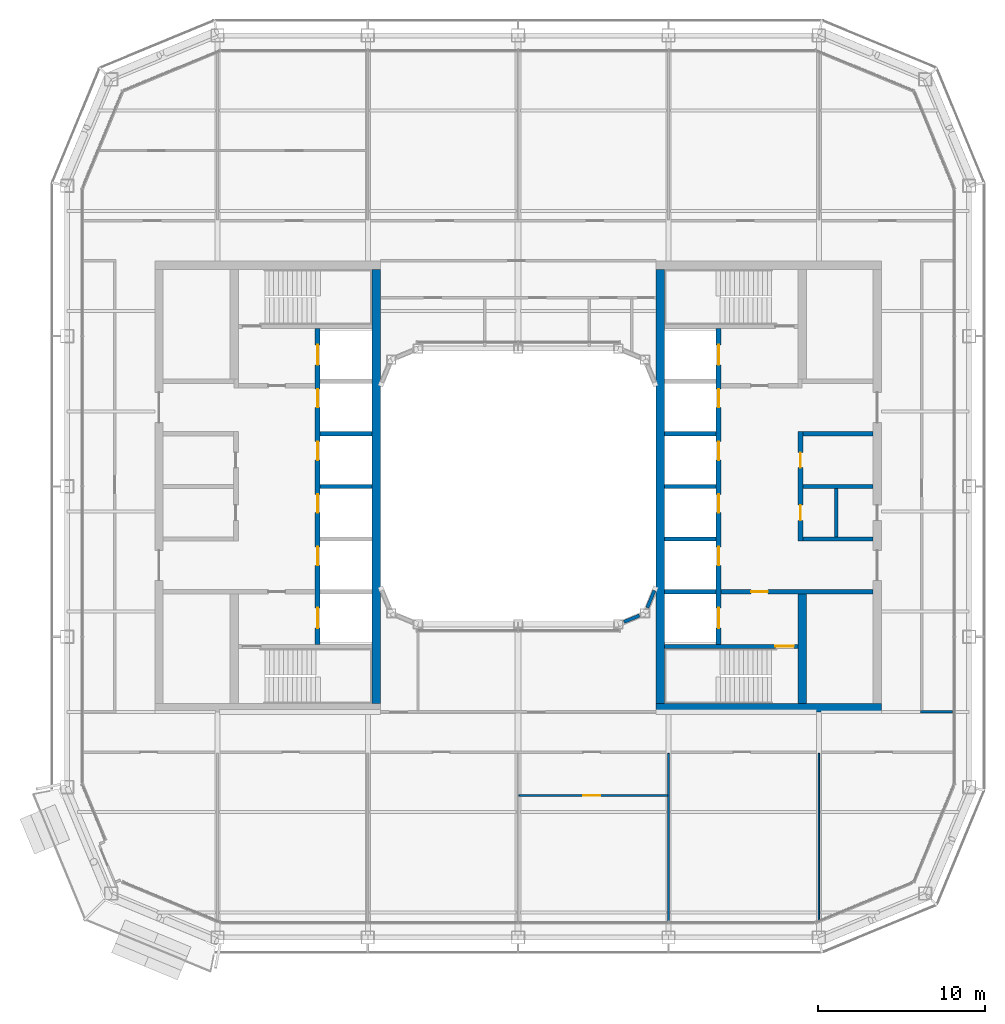
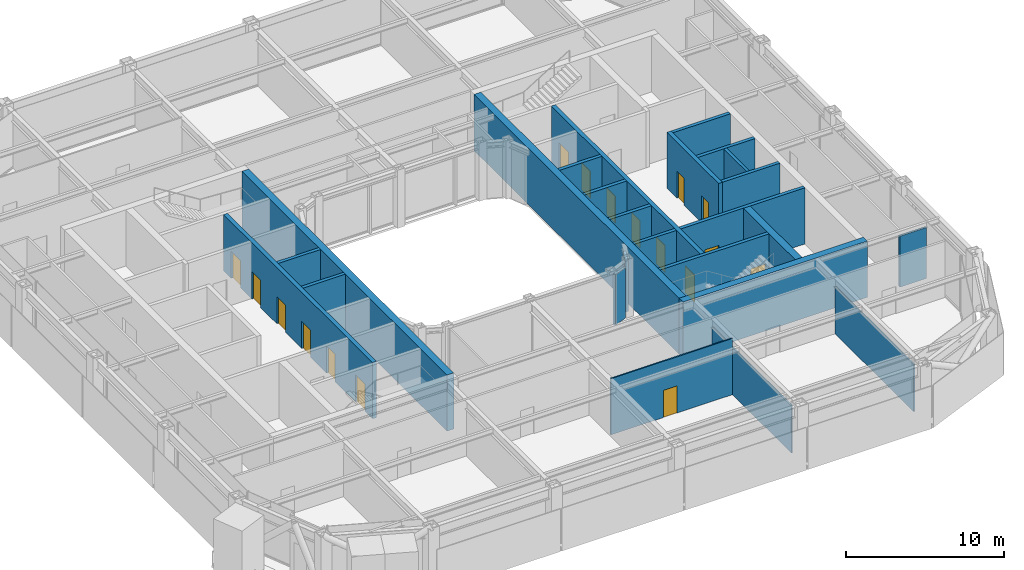
# One storey, part 14 of 23: 25 walls, 17 doors, 17 openings.
"""IFC4 building model written with IfcOpenShell, lengths in metres."""

from ifc_helpers import new_model, si_unit, direction, frame, frame_2d, origin, place, context, subcontext, project, spatial, rectangle, extrude, material, layer, layer_set, type_object, element, fill, save


model = new_model("IFC4")

# Units and contexts
model_context = context("Model", 3, precision=1e-05, world=origin(), true_north=direction((0.0, 1.0)))
body_context = subcontext(model_context, "Body", "Model", "MODEL_VIEW")
ifc_project = project(units=[si_unit("LENGTHUNIT", "METRE"), si_unit("AREAUNIT", "SQUARE_METRE"), si_unit("VOLUMEUNIT", "CUBIC_METRE"), si_unit("PLANEANGLEUNIT", "RADIAN"), si_unit("MASSUNIT", "GRAM", prefix="KILO")], contexts=[model_context])

# Site, building, storey
site_placement = place(None, origin())
site = spatial("IfcSite", under=ifc_project, at=site_placement, CompositionType="ELEMENT")
building_placement = place(site_placement, origin())
building = spatial("IfcBuilding", under=site, at=building_placement, Name="Siwar Civic Tower", CompositionType="ELEMENT")
storey_placement = place(building_placement, frame((0.0, 0.0, 251.199951171875)))
storey = spatial("IfcBuildingStorey", under=building, at=storey_placement, Name="L54", CompositionType="ELEMENT", Elevation=251.199951171875)

# Walls
ifc_material_1 = material(Name="Gypsum board on steel studs", Category="steel")
ifc_layer_1 = layer(ifc_material_1, 0.199951171875)
ifc_layer_set_1 = layer_set([ifc_layer_1], Name="Gypsum board on steel studs")
wall_type_1 = type_object("IfcWallType", Name="CORE-PARTITION-200", PredefinedType="PARTITIONING", material=ifc_layer_set_1)
wall_1_placement = place(storey_placement, frame((19.050048828125, -3.02490234375, 0.0), z_axis=(0.0, 0.0, 1.0), x_axis=(0.0, 1.0, 0.0)))
element("IfcWall", 1, at=wall_1_placement, inside=storey, type_object=wall_type_1, Name="Core partition E", PredefinedType="PARTITIONING", context=body_context, shape_type="SweptSolid", body=[
    extrude(rectangle(XDim=2.89990234375, YDim=0.199951171875, at=frame_2d((1.449951171875, 0.0))), origin(), (0.0, 0.0, 1.0), 4.35009765625),
])
ifc_material_2 = material(Name="Concrete C60/75", Category="concrete")
ifc_layer_2 = layer(ifc_material_2, 0.25)
ifc_layer_set_2 = layer_set([ifc_layer_2], Name="Concrete C60/75")
wall_type_2 = type_object("IfcWallType", Name="CORE-WALL-RC250", PredefinedType="SHEAR", material=ifc_layer_set_2)
for number, where, z_axis, x_axis, name in (
    (2, (-8.75, 0.0, 0.0), (0.0, 0.0, 1.0), (-1.0, 0.0, 0.0), "Core wall W"),
    (3, (-8.75, 3.14990234375, 0.0), (0.0, 0.0, 1.0), (-1.0, 0.0, 0.0), "Core wall W"),
):
    element("IfcWall", number, at=place(storey_placement, frame(where, z_axis=z_axis, x_axis=x_axis)), inside=storey, type_object=wall_type_2, Name=name, PredefinedType="SHEAR", context=body_context, shape_type="SweptSolid", body=[
        extrude(rectangle(XDim=3.10009765625, YDim=0.25, at=frame_2d((1.550048828125, 0.0))), origin(), (0.0, 0.0, 1.0), 4.35009765625),
    ])

# Wall, opening, door
wall_2_placement = place(storey_placement, frame((12.14990234375, -6.300048828125, 0.0), z_axis=(0.0, 0.0, 1.0), x_axis=(1.0, 0.0, 0.0)))
wall_2 = element("IfcWall", 4, at=wall_2_placement, inside=storey, type_object=wall_type_2, Name="Core wall E", PredefinedType="SHEAR", context=body_context, shape_type="SweptSolid", body=[
    extrude(rectangle(XDim=9.10009765625, YDim=0.25, at=frame_2d((4.550048828125, 0.0))), origin(), (0.0, 0.0, 1.0), 4.35009765625),
])
opening_1_placement = place(wall_2_placement, frame((1.800048828125, 0.0, 0.0)))
opening_1 = element("IfcOpeningElement", 5, at=opening_1_placement, cuts=wall_2, Name="Opening L54-CE02", PredefinedType="OPENING", context=body_context, shape_type="SweptSolid", body=[
    extrude(rectangle(XDim=1.0, YDim=2.10009765625, at=frame_2d((0.5, 1.050048828125))), frame((0.0, 0.135009765625, 0.0), z_axis=(0.0, -1.0, 0.0), x_axis=(1.0, 0.0, 0.0)), (0.0, 0.0, 1.0), 0.27001953125),
])
ifc_material_3 = material(Name="Steel door leaf", Category="steel")
door_type_1 = type_object("IfcDoorType", Name="CORE-DOOR-FD30S", OperationType="SINGLE_SWING_LEFT", PredefinedType="DOOR", material=ifc_material_3)
door_1_placement = place(opening_1_placement, origin())
door_1 = element("IfcDoor", 6, at=door_1_placement, inside=storey, type_object=door_type_1, Name="Service lobby door L54-CE02", OperationType="SINGLE_SWING_LEFT", OverallHeight=2.10009765625, OverallWidth=1.0, PredefinedType="DOOR", context=body_context, shape_type="SweptSolid", body=[
    extrude(rectangle(XDim=1.0, YDim=2.10009765625, at=frame_2d((0.5, 1.050048828125))), frame((0.0, 0.02490234375, 0.0), z_axis=(0.0, -1.0, 0.0), x_axis=(1.0, 0.0, 0.0)), (0.0, 0.0, 1.0), 0.050048828125),
])
fill(opening_1, door_1)

# Walls
for number, where, z_axis, x_axis, name in (
    (7, (17.050048828125, 0.0, 0.0), (0.0, 0.0, 1.0), (1.0, 0.0, 0.0), "Core wall E"),
    (8, (17.050048828125, 3.14990234375, 0.0), (0.0, 0.0, 1.0), (1.0, 0.0, 0.0), "Core wall E"),
    (9, (17.050048828125, -3.14990234375, 0.0), (0.0, 0.0, 1.0), (1.0, 0.0, 0.0), "Core wall E"),
):
    element("IfcWall", number, at=place(storey_placement, frame(where, z_axis=z_axis, x_axis=x_axis)), inside=storey, type_object=wall_type_2, Name=name, PredefinedType="SHEAR", context=body_context, shape_type="SweptSolid", body=[
        extrude(rectangle(XDim=4.199951171875, YDim=0.25, at=frame_2d((2.10009765625, 0.0))), origin(), (0.0, 0.0, 1.0), 4.35009765625),
    ])
for number, where, z_axis, x_axis, name in (
    (10, (8.75, 0.0, 0.0), (0.0, 0.0, 1.0), (1.0, 0.0, 0.0), "Core wall E"),
    (11, (8.75, 3.14990234375, 0.0), (0.0, 0.0, 1.0), (1.0, 0.0, 0.0), "Core wall E"),
    (12, (8.75, -3.14990234375, 0.0), (0.0, 0.0, 1.0), (1.0, 0.0, 0.0), "Core wall E"),
    (13, (8.75, -6.300048828125, 0.0), (0.0, 0.0, 1.0), (1.0, 0.0, 0.0), "Core wall E"),
):
    element("IfcWall", number, at=place(storey_placement, frame(where, z_axis=z_axis, x_axis=x_axis)), inside=storey, type_object=wall_type_2, Name=name, PredefinedType="SHEAR", context=body_context, shape_type="SweptSolid", body=[
        extrude(rectangle(XDim=3.10009765625, YDim=0.25, at=frame_2d((1.550048828125, 0.0))), origin(), (0.0, 0.0, 1.0), 4.35009765625),
    ])

# Wall, opening, door
wall_3_placement = place(storey_placement, frame((8.75, -9.574951171875, 0.0), z_axis=(0.0, 0.0, 1.0), x_axis=(1.0, 0.0, 0.0)))
wall_3 = element("IfcWall", 14, at=wall_3_placement, inside=storey, type_object=wall_type_2, Name="Core wall E", PredefinedType="SHEAR", context=body_context, shape_type="SweptSolid", body=[
    extrude(rectangle(XDim=8.0, YDim=0.25, at=frame_2d((4.0, 0.0))), origin(), (0.0, 0.0, 1.0), 4.35009765625),
])
opening_2_placement = place(wall_3_placement, frame((6.64990234375, 0.0, 0.0)))
opening_2 = element("IfcOpeningElement", 15, at=opening_2_placement, cuts=wall_3, Name="Opening L54-CE04", PredefinedType="OPENING", context=body_context, shape_type="SweptSolid", body=[
    extrude(rectangle(XDim=1.10009765625, YDim=2.10009765625, at=frame_2d((0.550048828125, 1.050048828125))), frame((0.0, 0.135009765625, 0.0), z_axis=(0.0, -1.0, 0.0), x_axis=(1.0, 0.0, 0.0)), (0.0, 0.0, 1.0), 0.27001953125),
])
ifc_material_4 = material(Name="Steel door leaf", Category="steel")
door_type_2 = type_object("IfcDoorType", Name="CORE-DOOR-FD60S", OperationType="SINGLE_SWING_LEFT", PredefinedType="DOOR", material=ifc_material_4)
door_2_placement = place(opening_2_placement, origin())
door_2 = element("IfcDoor", 16, at=door_2_placement, inside=storey, type_object=door_type_2, Name="Stair door L54-CE04", OperationType="SINGLE_SWING_RIGHT", OverallHeight=2.10009765625, OverallWidth=1.10009765625, PredefinedType="DOOR", context=body_context, shape_type="SweptSolid", body=[
    extrude(rectangle(XDim=1.10009765625, YDim=2.10009765625, at=frame_2d((0.550048828125, 1.050048828125))), frame((0.0, 0.02490234375, 0.0), z_axis=(0.0, -1.0, 0.0), x_axis=(1.0, 0.0, 0.0)), (0.0, 0.0, 1.0), 0.050048828125),
])
fill(opening_2, door_2)

# Wall, openings, doors
ifc_material_5 = material(Name="Concrete C60/75", Category="concrete")
ifc_layer_3 = layer(ifc_material_5, 0.300048828125)
ifc_layer_set_3 = layer_set([ifc_layer_3], Name="Concrete C60/75")
wall_type_3 = type_object("IfcWallType", Name="CORE-WALL-RC300", PredefinedType="SHEAR", material=ifc_layer_set_3)
wall_4_placement = place(storey_placement, frame((-12.0, -9.449951171875, 0.0), z_axis=(0.0, 0.0, 1.0), x_axis=(0.0, 1.0, 0.0)))
wall_4 = element("IfcWall", 17, at=wall_4_placement, inside=storey, type_object=wall_type_3, Name="Core wall W", PredefinedType="SHEAR", context=body_context, shape_type="SweptSolid", body=[
    extrude(rectangle(XDim=18.89990234375, YDim=0.300048828125, at=frame_2d((9.449951171875, 0.0))), origin(), (0.0, 0.0, 1.0), 4.35009765625),
])
opening_3_placement = place(wall_4_placement, frame((4.72509765625, 0.0, 0.0)))
opening_3 = element("IfcOpeningElement", 18, at=opening_3_placement, cuts=wall_4, Name="Opening L54-CW07", PredefinedType="OPENING", context=body_context, shape_type="SweptSolid", body=[
    extrude(rectangle(XDim=1.10009765625, YDim=2.10009765625, at=frame_2d((0.550048828125, 1.050048828125))), frame((0.0, 0.16015625, 0.0), z_axis=(0.0, -1.0, 0.0), x_axis=(1.0, 0.0, 0.0)), (0.0, 0.0, 1.0), 0.320068359375),
])
opening_4_placement = place(wall_4_placement, frame((7.875, 0.0, 0.0)))
opening_4 = element("IfcOpeningElement", 19, at=opening_4_placement, cuts=wall_4, Name="Opening L54-CW08", PredefinedType="OPENING", context=body_context, shape_type="SweptSolid", body=[
    extrude(rectangle(XDim=1.10009765625, YDim=2.10009765625, at=frame_2d((0.550048828125, 1.050048828125))), frame((0.0, 0.16015625, 0.0), z_axis=(0.0, -1.0, 0.0), x_axis=(1.0, 0.0, 0.0)), (0.0, 0.0, 1.0), 0.320068359375),
])
opening_5_placement = place(wall_4_placement, frame((11.02490234375, 0.0, 0.0)))
opening_5 = element("IfcOpeningElement", 20, at=opening_5_placement, cuts=wall_4, Name="Opening L54-CW09", PredefinedType="OPENING", context=body_context, shape_type="SweptSolid", body=[
    extrude(rectangle(XDim=1.10009765625, YDim=2.10009765625, at=frame_2d((0.550048828125, 1.050048828125))), frame((0.0, 0.16015625, 0.0), z_axis=(0.0, -1.0, 0.0), x_axis=(1.0, 0.0, 0.0)), (0.0, 0.0, 1.0), 0.320068359375),
])
opening_6_placement = place(wall_4_placement, frame((14.175048828125, 0.0, 0.0)))
opening_6 = element("IfcOpeningElement", 21, at=opening_6_placement, cuts=wall_4, Name="Opening L54-CW10", PredefinedType="OPENING", context=body_context, shape_type="SweptSolid", body=[
    extrude(rectangle(XDim=1.10009765625, YDim=2.10009765625, at=frame_2d((0.550048828125, 1.050048828125))), frame((0.0, 0.16015625, 0.0), z_axis=(0.0, -1.0, 0.0), x_axis=(1.0, 0.0, 0.0)), (0.0, 0.0, 1.0), 0.320068359375),
])
opening_7_placement = place(wall_4_placement, frame((16.72509765625, 0.0, 0.0)))
opening_7 = element("IfcOpeningElement", 22, at=opening_7_placement, cuts=wall_4, Name="Opening L54-CW11", PredefinedType="OPENING", context=body_context, shape_type="SweptSolid", body=[
    extrude(rectangle(XDim=1.199951171875, YDim=2.10009765625, at=frame_2d((0.60009765625, 1.050048828125))), frame((0.0, 0.16015625, 0.0), z_axis=(0.0, -1.0, 0.0), x_axis=(1.0, 0.0, 0.0)), (0.0, 0.0, 1.0), 0.320068359375),
])
opening_8_placement = place(wall_4_placement, frame((0.97509765625, 0.0, 0.0)))
opening_8 = element("IfcOpeningElement", 23, at=opening_8_placement, cuts=wall_4, Name="Opening L54-CW12", PredefinedType="OPENING", context=body_context, shape_type="SweptSolid", body=[
    extrude(rectangle(XDim=1.199951171875, YDim=2.10009765625, at=frame_2d((0.60009765625, 1.050048828125))), frame((0.0, 0.16015625, 0.0), z_axis=(0.0, -1.0, 0.0), x_axis=(1.0, 0.0, 0.0)), (0.0, 0.0, 1.0), 0.320068359375),
])
ifc_material_6 = material(Name="Steel door leaf", Category="steel")
door_type_3 = type_object("IfcDoorType", Name="CORE-DOOR-LD", OperationType="DOUBLE_DOOR_SLIDING", PredefinedType="DOOR", material=ifc_material_6)
door_3_placement = place(opening_3_placement, origin())
door_3 = element("IfcDoor", 24, at=door_3_placement, inside=storey, type_object=door_type_3, Name="Landing door HR1 L54-CW07", OperationType="DOUBLE_DOOR_SLIDING", OverallHeight=2.10009765625, OverallWidth=1.10009765625, PredefinedType="DOOR", context=body_context, shape_type="SweptSolid", body=[
    extrude(rectangle(XDim=1.10009765625, YDim=2.10009765625, at=frame_2d((0.550048828125, 1.050048828125))), frame((0.0, 0.02490234375, 0.0), z_axis=(0.0, -1.0, 0.0), x_axis=(1.0, 0.0, 0.0)), (0.0, 0.0, 1.0), 0.050048828125),
])
fill(opening_3, door_3)
door_4_placement = place(opening_4_placement, origin())
door_4 = element("IfcDoor", 25, at=door_4_placement, inside=storey, type_object=door_type_3, Name="Landing door HR2 L54-CW08", OperationType="DOUBLE_DOOR_SLIDING", OverallHeight=2.10009765625, OverallWidth=1.10009765625, PredefinedType="DOOR", context=body_context, shape_type="SweptSolid", body=[
    extrude(rectangle(XDim=1.10009765625, YDim=2.10009765625, at=frame_2d((0.550048828125, 1.050048828125))), frame((0.0, 0.02490234375, 0.0), z_axis=(0.0, -1.0, 0.0), x_axis=(1.0, 0.0, 0.0)), (0.0, 0.0, 1.0), 0.050048828125),
])
fill(opening_4, door_4)
door_5_placement = place(opening_5_placement, origin())
door_5 = element("IfcDoor", 26, at=door_5_placement, inside=storey, type_object=door_type_3, Name="Landing door HR3 L54-CW09", OperationType="DOUBLE_DOOR_SLIDING", OverallHeight=2.10009765625, OverallWidth=1.10009765625, PredefinedType="DOOR", context=body_context, shape_type="SweptSolid", body=[
    extrude(rectangle(XDim=1.10009765625, YDim=2.10009765625, at=frame_2d((0.550048828125, 1.050048828125))), frame((0.0, 0.02490234375, 0.0), z_axis=(0.0, -1.0, 0.0), x_axis=(1.0, 0.0, 0.0)), (0.0, 0.0, 1.0), 0.050048828125),
])
fill(opening_5, door_5)
door_6_placement = place(opening_6_placement, origin())
door_6 = element("IfcDoor", 27, at=door_6_placement, inside=storey, type_object=door_type_3, Name="Landing door HR4 L54-CW10", OperationType="DOUBLE_DOOR_SLIDING", OverallHeight=2.10009765625, OverallWidth=1.10009765625, PredefinedType="DOOR", context=body_context, shape_type="SweptSolid", body=[
    extrude(rectangle(XDim=1.10009765625, YDim=2.10009765625, at=frame_2d((0.550048828125, 1.050048828125))), frame((0.0, 0.02490234375, 0.0), z_axis=(0.0, -1.0, 0.0), x_axis=(1.0, 0.0, 0.0)), (0.0, 0.0, 1.0), 0.050048828125),
])
fill(opening_6, door_6)
ifc_material_7 = material(Name="Steel door leaf", Category="steel")
door_type_4 = type_object("IfcDoorType", Name="CORE-DOOR-LDW", OperationType="DOUBLE_DOOR_SLIDING", PredefinedType="DOOR", material=ifc_material_7)
door_7_placement = place(opening_7_placement, origin())
door_7 = element("IfcDoor", 28, at=door_7_placement, inside=storey, type_object=door_type_4, Name="Landing door FF1 L54-CW11", OperationType="DOUBLE_DOOR_SLIDING", OverallHeight=2.10009765625, OverallWidth=1.199951171875, PredefinedType="DOOR", context=body_context, shape_type="SweptSolid", body=[
    extrude(rectangle(XDim=1.199951171875, YDim=2.10009765625, at=frame_2d((0.60009765625, 1.050048828125))), frame((0.0, 0.02490234375, 0.0), z_axis=(0.0, -1.0, 0.0), x_axis=(1.0, 0.0, 0.0)), (0.0, 0.0, 1.0), 0.050048828125),
])
fill(opening_7, door_7)
door_8_placement = place(opening_8_placement, origin())
door_8 = element("IfcDoor", 29, at=door_8_placement, inside=storey, type_object=door_type_4, Name="Landing door SV1 L54-CW12", OperationType="DOUBLE_DOOR_SLIDING", OverallHeight=2.10009765625, OverallWidth=1.199951171875, PredefinedType="DOOR", context=body_context, shape_type="SweptSolid", body=[
    extrude(rectangle(XDim=1.199951171875, YDim=2.10009765625, at=frame_2d((0.60009765625, 1.050048828125))), frame((0.0, 0.02490234375, 0.0), z_axis=(0.0, -1.0, 0.0), x_axis=(1.0, 0.0, 0.0)), (0.0, 0.0, 1.0), 0.050048828125),
])
fill(opening_8, door_8)

wall_5_placement = place(storey_placement, frame((12.0, -9.449951171875, 0.0), z_axis=(0.0, 0.0, 1.0), x_axis=(0.0, 1.0, 0.0)))
wall_5 = element("IfcWall", 30, at=wall_5_placement, inside=storey, type_object=wall_type_3, Name="Core wall E", PredefinedType="SHEAR", context=body_context, shape_type="SweptSolid", body=[
    extrude(rectangle(XDim=18.89990234375, YDim=0.300048828125, at=frame_2d((9.449951171875, 0.0))), origin(), (0.0, 0.0, 1.0), 4.35009765625),
])
opening_9_placement = place(wall_5_placement, frame((4.72509765625, 0.0, 0.0)))
opening_9 = element("IfcOpeningElement", 31, at=opening_9_placement, cuts=wall_5, Name="Opening L54-CE07", PredefinedType="OPENING", context=body_context, shape_type="SweptSolid", body=[
    extrude(rectangle(XDim=1.10009765625, YDim=2.10009765625, at=frame_2d((0.550048828125, 1.050048828125))), frame((0.0, 0.16015625, 0.0), z_axis=(0.0, -1.0, 0.0), x_axis=(1.0, 0.0, 0.0)), (0.0, 0.0, 1.0), 0.320068359375),
])
opening_10_placement = place(wall_5_placement, frame((7.875, 0.0, 0.0)))
opening_10 = element("IfcOpeningElement", 32, at=opening_10_placement, cuts=wall_5, Name="Opening L54-CE08", PredefinedType="OPENING", context=body_context, shape_type="SweptSolid", body=[
    extrude(rectangle(XDim=1.10009765625, YDim=2.10009765625, at=frame_2d((0.550048828125, 1.050048828125))), frame((0.0, 0.16015625, 0.0), z_axis=(0.0, -1.0, 0.0), x_axis=(1.0, 0.0, 0.0)), (0.0, 0.0, 1.0), 0.320068359375),
])
opening_11_placement = place(wall_5_placement, frame((11.02490234375, 0.0, 0.0)))
opening_11 = element("IfcOpeningElement", 33, at=opening_11_placement, cuts=wall_5, Name="Opening L54-CE09", PredefinedType="OPENING", context=body_context, shape_type="SweptSolid", body=[
    extrude(rectangle(XDim=1.10009765625, YDim=2.10009765625, at=frame_2d((0.550048828125, 1.050048828125))), frame((0.0, 0.16015625, 0.0), z_axis=(0.0, -1.0, 0.0), x_axis=(1.0, 0.0, 0.0)), (0.0, 0.0, 1.0), 0.320068359375),
])
opening_12_placement = place(wall_5_placement, frame((14.175048828125, 0.0, 0.0)))
opening_12 = element("IfcOpeningElement", 34, at=opening_12_placement, cuts=wall_5, Name="Opening L54-CE10", PredefinedType="OPENING", context=body_context, shape_type="SweptSolid", body=[
    extrude(rectangle(XDim=1.10009765625, YDim=2.10009765625, at=frame_2d((0.550048828125, 1.050048828125))), frame((0.0, 0.16015625, 0.0), z_axis=(0.0, -1.0, 0.0), x_axis=(1.0, 0.0, 0.0)), (0.0, 0.0, 1.0), 0.320068359375),
])
opening_13_placement = place(wall_5_placement, frame((16.72509765625, 0.0, 0.0)))
opening_13 = element("IfcOpeningElement", 35, at=opening_13_placement, cuts=wall_5, Name="Opening L54-CE11", PredefinedType="OPENING", context=body_context, shape_type="SweptSolid", body=[
    extrude(rectangle(XDim=1.199951171875, YDim=2.10009765625, at=frame_2d((0.60009765625, 1.050048828125))), frame((0.0, 0.16015625, 0.0), z_axis=(0.0, -1.0, 0.0), x_axis=(1.0, 0.0, 0.0)), (0.0, 0.0, 1.0), 0.320068359375),
])
opening_14_placement = place(wall_5_placement, frame((0.97509765625, 0.0, 0.0)))
opening_14 = element("IfcOpeningElement", 36, at=opening_14_placement, cuts=wall_5, Name="Opening L54-CE12", PredefinedType="OPENING", context=body_context, shape_type="SweptSolid", body=[
    extrude(rectangle(XDim=1.199951171875, YDim=2.10009765625, at=frame_2d((0.60009765625, 1.050048828125))), frame((0.0, 0.16015625, 0.0), z_axis=(0.0, -1.0, 0.0), x_axis=(1.0, 0.0, 0.0)), (0.0, 0.0, 1.0), 0.320068359375),
])
door_9_placement = place(opening_9_placement, origin())
door_9 = element("IfcDoor", 37, at=door_9_placement, inside=storey, type_object=door_type_3, Name="Landing door HR5 L54-CE07", OperationType="DOUBLE_DOOR_SLIDING", OverallHeight=2.10009765625, OverallWidth=1.10009765625, PredefinedType="DOOR", context=body_context, shape_type="SweptSolid", body=[
    extrude(rectangle(XDim=1.10009765625, YDim=2.10009765625, at=frame_2d((0.550048828125, 1.050048828125))), frame((0.0, 0.02490234375, 0.0), z_axis=(0.0, -1.0, 0.0), x_axis=(1.0, 0.0, 0.0)), (0.0, 0.0, 1.0), 0.050048828125),
])
fill(opening_9, door_9)
door_10_placement = place(opening_10_placement, origin())
door_10 = element("IfcDoor", 38, at=door_10_placement, inside=storey, type_object=door_type_3, Name="Landing door HR6 L54-CE08", OperationType="DOUBLE_DOOR_SLIDING", OverallHeight=2.10009765625, OverallWidth=1.10009765625, PredefinedType="DOOR", context=body_context, shape_type="SweptSolid", body=[
    extrude(rectangle(XDim=1.10009765625, YDim=2.10009765625, at=frame_2d((0.550048828125, 1.050048828125))), frame((0.0, 0.02490234375, 0.0), z_axis=(0.0, -1.0, 0.0), x_axis=(1.0, 0.0, 0.0)), (0.0, 0.0, 1.0), 0.050048828125),
])
fill(opening_10, door_10)
door_11_placement = place(opening_11_placement, origin())
door_11 = element("IfcDoor", 39, at=door_11_placement, inside=storey, type_object=door_type_3, Name="Landing door HR7 L54-CE09", OperationType="DOUBLE_DOOR_SLIDING", OverallHeight=2.10009765625, OverallWidth=1.10009765625, PredefinedType="DOOR", context=body_context, shape_type="SweptSolid", body=[
    extrude(rectangle(XDim=1.10009765625, YDim=2.10009765625, at=frame_2d((0.550048828125, 1.050048828125))), frame((0.0, 0.02490234375, 0.0), z_axis=(0.0, -1.0, 0.0), x_axis=(1.0, 0.0, 0.0)), (0.0, 0.0, 1.0), 0.050048828125),
])
fill(opening_11, door_11)
door_12_placement = place(opening_12_placement, origin())
door_12 = element("IfcDoor", 40, at=door_12_placement, inside=storey, type_object=door_type_3, Name="Landing door HR8 L54-CE10", OperationType="DOUBLE_DOOR_SLIDING", OverallHeight=2.10009765625, OverallWidth=1.10009765625, PredefinedType="DOOR", context=body_context, shape_type="SweptSolid", body=[
    extrude(rectangle(XDim=1.10009765625, YDim=2.10009765625, at=frame_2d((0.550048828125, 1.050048828125))), frame((0.0, 0.02490234375, 0.0), z_axis=(0.0, -1.0, 0.0), x_axis=(1.0, 0.0, 0.0)), (0.0, 0.0, 1.0), 0.050048828125),
])
fill(opening_12, door_12)
door_13_placement = place(opening_13_placement, origin())
door_13 = element("IfcDoor", 41, at=door_13_placement, inside=storey, type_object=door_type_4, Name="Landing door FF2 L54-CE11", OperationType="DOUBLE_DOOR_SLIDING", OverallHeight=2.10009765625, OverallWidth=1.199951171875, PredefinedType="DOOR", context=body_context, shape_type="SweptSolid", body=[
    extrude(rectangle(XDim=1.199951171875, YDim=2.10009765625, at=frame_2d((0.60009765625, 1.050048828125))), frame((0.0, 0.02490234375, 0.0), z_axis=(0.0, -1.0, 0.0), x_axis=(1.0, 0.0, 0.0)), (0.0, 0.0, 1.0), 0.050048828125),
])
fill(opening_13, door_13)
door_14_placement = place(opening_14_placement, origin())
door_14 = element("IfcDoor", 42, at=door_14_placement, inside=storey, type_object=door_type_4, Name="Landing door SV2 L54-CE12", OperationType="DOUBLE_DOOR_SLIDING", OverallHeight=2.10009765625, OverallWidth=1.199951171875, PredefinedType="DOOR", context=body_context, shape_type="SweptSolid", body=[
    extrude(rectangle(XDim=1.199951171875, YDim=2.10009765625, at=frame_2d((0.60009765625, 1.050048828125))), frame((0.0, 0.02490234375, 0.0), z_axis=(0.0, -1.0, 0.0), x_axis=(1.0, 0.0, 0.0)), (0.0, 0.0, 1.0), 0.050048828125),
])
fill(opening_14, door_14)

wall_6_placement = place(storey_placement, frame((16.89990234375, -3.27490234375, 0.0), z_axis=(0.0, 0.0, 1.0), x_axis=(0.0, 1.0, 0.0)))
wall_6 = element("IfcWall", 43, at=wall_6_placement, inside=storey, type_object=wall_type_3, Name="Core wall E", PredefinedType="SHEAR", context=body_context, shape_type="SweptSolid", body=[
    extrude(rectangle(XDim=6.5498046875, YDim=0.300048828125, at=frame_2d((3.27490234375, 0.0))), origin(), (0.0, 0.0, 1.0), 4.35009765625),
])
opening_15_placement = place(wall_6_placement, frame((1.25, 0.0, 0.0)))
opening_15 = element("IfcOpeningElement", 44, at=opening_15_placement, cuts=wall_6, Name="Opening L54-CE13", PredefinedType="OPENING", context=body_context, shape_type="SweptSolid", body=[
    extrude(rectangle(XDim=0.89990234375, YDim=2.10009765625, at=frame_2d((0.449951171875, 1.050048828125))), frame((0.0, 0.16015625, 0.0), z_axis=(0.0, -1.0, 0.0), x_axis=(1.0, 0.0, 0.0)), (0.0, 0.0, 1.0), 0.320068359375),
])
opening_16_placement = place(wall_6_placement, frame((4.39990234375, 0.0, 0.0)))
opening_16 = element("IfcOpeningElement", 45, at=opening_16_placement, cuts=wall_6, Name="Opening L54-CE15", PredefinedType="OPENING", context=body_context, shape_type="SweptSolid", body=[
    extrude(rectangle(XDim=0.89990234375, YDim=2.10009765625, at=frame_2d((0.449951171875, 1.050048828125))), frame((0.0, 0.16015625, 0.0), z_axis=(0.0, -1.0, 0.0), x_axis=(1.0, 0.0, 0.0)), (0.0, 0.0, 1.0), 0.320068359375),
])
ifc_material_8 = material(Name="Steel door leaf", Category="steel")
door_type_5 = type_object("IfcDoorType", Name="CORE-DOOR-ROOM", OperationType="SINGLE_SWING_LEFT", PredefinedType="DOOR", material=ifc_material_8)
door_15_placement = place(opening_15_placement, origin())
door_15 = element("IfcDoor", 46, at=door_15_placement, inside=storey, type_object=door_type_5, Name="Core room door L54-CE13", OperationType="SINGLE_SWING_RIGHT", OverallHeight=2.10009765625, OverallWidth=0.89990234375, PredefinedType="DOOR", context=body_context, shape_type="SweptSolid", body=[
    extrude(rectangle(XDim=0.89990234375, YDim=2.10009765625, at=frame_2d((0.449951171875, 1.050048828125))), frame((0.0, 0.02490234375, 0.0), z_axis=(0.0, -1.0, 0.0), x_axis=(1.0, 0.0, 0.0)), (0.0, 0.0, 1.0), 0.050048828125),
])
fill(opening_15, door_15)
door_16_placement = place(opening_16_placement, origin())
door_16 = element("IfcDoor", 47, at=door_16_placement, inside=storey, type_object=door_type_5, Name="Core room door L54-CE15", OperationType="SINGLE_SWING_LEFT", OverallHeight=2.10009765625, OverallWidth=0.89990234375, PredefinedType="DOOR", context=body_context, shape_type="SweptSolid", body=[
    extrude(rectangle(XDim=0.89990234375, YDim=2.10009765625, at=frame_2d((0.449951171875, 1.050048828125))), frame((0.0, 0.02490234375, 0.0), z_axis=(0.0, -1.0, 0.0), x_axis=(1.0, 0.0, 0.0)), (0.0, 0.0, 1.0), 0.050048828125),
])
fill(opening_16, door_16)

# Walls
ifc_material_9 = material(Name="Concrete C60/75", Category="concrete")
ifc_layer_4 = layer(ifc_material_9, 0.5)
ifc_layer_set_4 = layer_set([ifc_layer_4], Name="Concrete C60/75")
wall_type_4 = type_object("IfcWallType", Name="CORE-WALL-RC500", PredefinedType="SHEAR", material=ifc_layer_set_4)
wall_7_placement = place(storey_placement, frame((17.0, -13.0, 0.0), z_axis=(0.0, 0.0, 1.0), x_axis=(0.0, 1.0, 0.0)))
element("IfcWall", 48, at=wall_7_placement, inside=storey, type_object=wall_type_4, Name="Core wall E", PredefinedType="SHEAR", context=body_context, shape_type="SweptSolid", body=[
    extrude(rectangle(XDim=6.574951171875, YDim=0.5, at=frame_2d((3.28759765625, 0.0))), origin(), (0.0, 0.0, 1.0), 4.35009765625),
])
wall_8_placement = place(storey_placement, frame((8.25, -13.25, 0.0), z_axis=(0.0, 0.0, 1.0), x_axis=(1.0, 0.0, 0.0)))
element("IfcWall", 49, at=wall_8_placement, inside=storey, type_object=wall_type_4, Name="Core wall E", PredefinedType="SHEAR", context=body_context, shape_type="SweptSolid", body=[
    extrude(rectangle(XDim=13.5, YDim=0.5, at=frame_2d((6.75, 0.0))), origin(), (0.0, 0.0, 1.0), 4.35009765625),
])
ifc_material_10 = material(Name="Concrete C60/75", Category="concrete")
ifc_layer_5 = layer(ifc_material_10, 0.5)
ifc_layer_set_5 = layer_set([ifc_layer_5], Name="Concrete C60/75")
wall_type_5 = type_object("IfcWallType", Name="CORE-WALL-RC500-EXT", PredefinedType="SHEAR", material=ifc_layer_set_5)
for number, where, z_axis, x_axis, name in (
    (50, (-8.5, -13.0, 0.0), (0.0, 0.0, 1.0), (0.0, 1.0, 0.0), "Core wall W"),
    (51, (8.5, -13.0, 0.0), (0.0, 0.0, 1.0), (0.0, 1.0, 0.0), "Core wall E"),
):
    element("IfcWall", number, at=place(storey_placement, frame(where, z_axis=z_axis, x_axis=x_axis)), inside=storey, type_object=wall_type_5, Name=name, PredefinedType="SHEAR", context=body_context, shape_type="SweptSolid", body=[
        extrude(rectangle(XDim=26.0, YDim=0.5, at=frame_2d((13.0, 0.0))), origin(), (0.0, 0.0, 1.0), 4.35009765625),
    ])
ifc_material_11 = material(Name="Gypsum board on steel studs", Category="steel")
ifc_layer_6 = layer(ifc_material_11, 0.14990234375)
ifc_layer_set_6 = layer_set([ifc_layer_6], Name="Gypsum board on steel studs")
wall_type_6 = type_object("IfcWallType", Name="CORRIDOR PARTITION 150 EI 30", PredefinedType="PARTITIONING", material=ifc_layer_set_6)
wall_9_placement = place(storey_placement, frame((24.074951171875, -13.5, 0.0), z_axis=(0.0, 0.0, 1.0), x_axis=(1.0, 0.0, 0.0)))
element("IfcWall", 52, at=wall_9_placement, inside=storey, type_object=wall_type_6, Name="L54/wall/P05", PredefinedType="PARTITIONING", context=body_context, shape_type="SweptSolid", body=[
    extrude(rectangle(XDim=1.93505859375, YDim=0.14990234375, at=frame_2d((0.967529296875, 0.0))), origin(), (0.0, 0.0, 1.0), 3.949951171875),
])
ifc_material_12 = material(Name="Aluminium clad insulated panel", Category="aluminium")
ifc_layer_7 = layer(ifc_material_12, 0.199951171875)
ifc_layer_set_7 = layer_set([ifc_layer_7], Name="Aluminium clad insulated panel")
wall_type_7 = type_object("IfcWallType", Name="ENV-WALL-WELL", PredefinedType="STANDARD", material=ifc_layer_set_7)
wall_10_placement = place(storey_placement, frame((6.33203125, -8.112548828125, 0.0), z_axis=(0.0, 0.0, 1.0), x_axis=(0.923859650767, 0.382731427616, 0.0)))
element("IfcWall", 53, at=wall_10_placement, inside=storey, type_object=wall_type_7, Name="Light well corner wall SE1", PredefinedType="STANDARD", context=body_context, shape_type="SweptSolid", body=[
    extrude(rectangle(XDim=1.00341796875, YDim=0.199951171875, at=frame_2d((0.501708984375, 0.0))), origin(), (0.0, 0.0, 1.0), 3.91796875),
])
wall_11_placement = place(storey_placement, frame((7.728515625, -7.259033203125, 0.0), z_axis=(0.0, 0.0, 1.0), x_axis=(0.382635994082, 0.923899180665, 0.0)))
element("IfcWall", 54, at=wall_11_placement, inside=storey, type_object=wall_type_7, Name="Light well corner wall SE2", PredefinedType="STANDARD", context=body_context, shape_type="SweptSolid", body=[
    extrude(rectangle(XDim=1.11279296875, YDim=0.199951171875, at=frame_2d((0.556396484375, 0.0))), origin(), (0.0, 0.0, 1.0), 3.91796875),
])

# Wall, opening, door
ifc_material_13 = material(Name="Gypsum board on steel studs", Category="steel")
ifc_layer_8 = layer(ifc_material_13, 0.10009765625)
ifc_layer_set_8 = layer_set([ifc_layer_8], Name="Gypsum board on steel studs")
wall_type_8 = type_object("IfcWallType", Name="PARTITION 100 GYPSUM", PredefinedType="PARTITIONING", material=ifc_layer_set_8)
wall_12_placement = place(storey_placement, frame((0.050048828125, -18.5, 0.0), z_axis=(0.0, 0.0, 1.0), x_axis=(1.0, 0.0, 0.0)))
wall_12 = element("IfcWall", 55, at=wall_12_placement, inside=storey, type_object=wall_type_8, Name="L54/wall/P01", PredefinedType="PARTITIONING", context=body_context, shape_type="SweptSolid", body=[
    extrude(rectangle(XDim=8.89990234375, YDim=0.10009765625, at=frame_2d((4.449951171875, 0.0))), origin(), (0.0, 0.0, 1.0), 4.35009765625),
])
opening_17_placement = place(wall_12_placement, frame((3.85009765625, 0.0, 0.0)))
opening_17 = element("IfcOpeningElement", 56, at=opening_17_placement, cuts=wall_12, Name="Opening D2", PredefinedType="OPENING", context=body_context, shape_type="SweptSolid", body=[
    extrude(rectangle(XDim=1.0, YDim=2.10009765625, at=frame_2d((0.5, 1.050048828125))), frame((0.0, 0.06005859375, 0.0), z_axis=(0.0, -1.0, 0.0), x_axis=(1.0, 0.0, 0.0)), (0.0, 0.0, 1.0), 0.1201171875),
])
ifc_material_14 = material(Name="Timber, painted", Category="wood")
door_type_6 = type_object("IfcDoorType", Name="DOOR 1000 X 2100", OperationType="SINGLE_SWING_LEFT", PredefinedType="DOOR", material=ifc_material_14)
door_17_placement = place(opening_17_placement, origin())
door_17 = element("IfcDoor", 57, at=door_17_placement, inside=storey, type_object=door_type_6, Name="L54-D09", OperationType="SINGLE_SWING_LEFT", OverallHeight=2.10009765625, OverallWidth=1.0, PredefinedType="DOOR", context=body_context, shape_type="SweptSolid", body=[
    extrude(rectangle(XDim=1.0, YDim=2.10009765625, at=frame_2d((0.5, 1.050048828125))), frame((0.0, 0.02490234375, 0.0), z_axis=(0.0, -1.0, 0.0), x_axis=(1.0, 0.0, 0.0)), (0.0, 0.0, 1.0), 0.050048828125),
])
fill(opening_17, door_17)

# Walls
wall_13_placement = place(storey_placement, frame((9.0, -26.010009765625, 0.0), z_axis=(0.0, 0.0, 1.0), x_axis=(0.0, 1.0, 0.0)))
element("IfcWall", 58, at=wall_13_placement, inside=storey, type_object=wall_type_8, Name="L54/wall/P25", PredefinedType="PARTITIONING", context=body_context, shape_type="SweptSolid", body=[
    extrude(rectangle(XDim=10.034912109375, YDim=0.10009765625, at=frame_2d((5.017578125, 0.0))), origin(), (0.0, 0.0, 1.0), 3.650146484375),
])
wall_14_placement = place(storey_placement, frame((18.0, -25.927978515625, 0.0), z_axis=(0.0, 0.0, 1.0), x_axis=(0.0, 1.0, 0.0)))
element("IfcWall", 59, at=wall_14_placement, inside=storey, type_object=wall_type_8, Name="L54/wall/P27", PredefinedType="PARTITIONING", context=body_context, shape_type="SweptSolid", body=[
    extrude(rectangle(XDim=9.952880859375, YDim=0.10009765625, at=frame_2d((4.9765625, 0.0))), origin(), (0.0, 0.0, 1.0), 3.650146484375),
])

save(model, "model.ifc")
